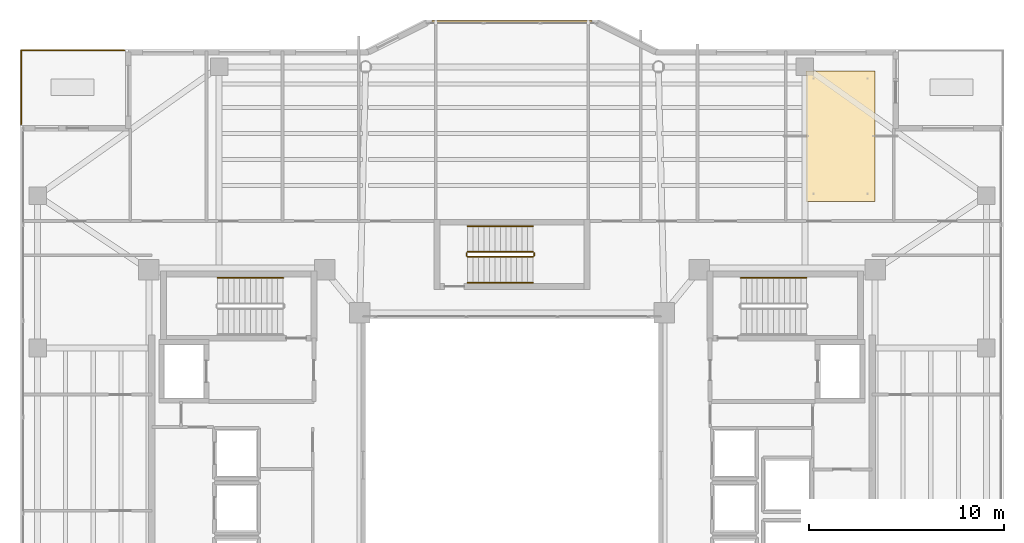
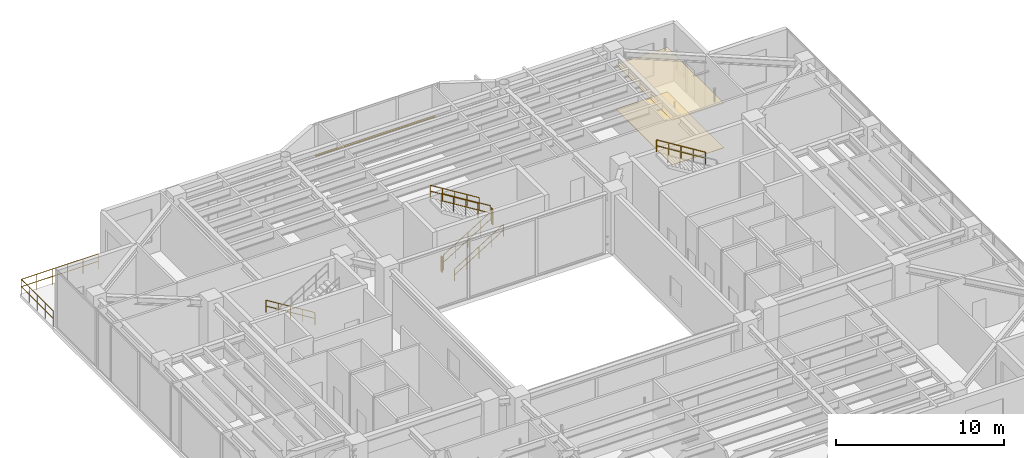
# One storey, part 32 of 33: 10 railings, 2 coverings, 1 shading device.
"""IFC4 building model written with IfcOpenShell, lengths in metres."""

from ifc_helpers import new_model, si_unit, direction, frame, origin, origin_2d, place, context, subcontext, project, spatial, polyline, rectangle, circle, outline, extrude, material, layer, layer_set, material_profile, profile_set, type_object, element, save


model = new_model("IFC4")

# Units and contexts
model_context = context("Model", 3, precision=1e-05, world=origin(), true_north=direction((0.0, 1.0)))
body_context = subcontext(model_context, "Body", "Model", "MODEL_VIEW")
ifc_project = project(units=[si_unit("LENGTHUNIT", "METRE"), si_unit("AREAUNIT", "SQUARE_METRE"), si_unit("VOLUMEUNIT", "CUBIC_METRE"), si_unit("PLANEANGLEUNIT", "RADIAN"), si_unit("MASSUNIT", "GRAM", prefix="KILO")], contexts=[model_context])

# Site, building, storey
site_placement = place(None, origin())
site = spatial("IfcSite", under=ifc_project, at=site_placement, CompositionType="ELEMENT")
building_placement = place(site_placement, origin())
building = spatial("IfcBuilding", under=site, at=building_placement, Name="Tarnavaz Court Tower", CompositionType="ELEMENT")
storey_placement = place(building_placement, frame((0.0, 0.0, 177.300048828125)))
storey = spatial("IfcBuildingStorey", under=building, at=storey_placement, Name="L48", CompositionType="ELEMENT", Elevation=177.300048828125)

# Coverings
ifc_material_1 = material(Name="Perforated Gypsum Acoustic Ceiling Tile", Category="masonry")
ifc_layer_1 = layer(ifc_material_1, 0.02490234375)
ifc_layer_set_1 = layer_set([ifc_layer_1], Name="Perforated Gypsum Acoustic Ceiling Tile")
covering_type_1 = type_object("IfcCoveringType", Name="CV-CEIL-AC", PredefinedType="CEILING", material=ifc_layer_set_1)
covering_1_placement = place(storey_placement, frame((0.0, 0.0, 3.22998046875)))
element("IfcCovering", 1, at=covering_1_placement, inside=storey, type_object=covering_type_1, Name="L48 Community Multipurpose Banquet Hall Suspended Acoustic Ceiling", PredefinedType="CEILING", context=body_context, shape_type="SweptSolid", body=[
    extrude(outline(polyline([(15.052978515625, 13.5), (18.60009765625, 13.5), (18.60009765625, 20.199951171875), (15.052978515625, 20.199951171875), (15.052978515625, 13.5)])), origin(), (0.0, 0.0, 1.0), 0.02490234375),
])
ifc_material_2 = material(Name="Glazed Khorasan Porcelain Floor Tile", Category="masonry")
ifc_layer_2 = layer(ifc_material_2, 0.02001953125)
ifc_layer_set_2 = layer_set([ifc_layer_2], Name="Glazed Khorasan Porcelain Floor Tile")
covering_type_2 = type_object("IfcCoveringType", Name="CV-FLR-PORC", PredefinedType="FLOORING", material=ifc_layer_set_2)
covering_2_placement = place(storey_placement, origin())
element("IfcCovering", 2, at=covering_2_placement, inside=storey, type_object=covering_type_2, Name="L48 Community Multipurpose Banquet Hall Porcelain Floor Finish", PredefinedType="FLOORING", context=body_context, shape_type="SweptSolid", body=[
    extrude(outline(polyline([(15.052978515625, 13.5), (18.60009765625, 13.5), (18.60009765625, 20.199951171875), (15.052978515625, 20.199951171875), (15.052978515625, 13.5)])), origin(), (0.0, 0.0, 1.0), 0.02001953125),
])

# Railings
ifc_material_3 = material(Name="Anodised Aluminium 6063-T6 and Laminated Safety Glass", Category="aluminium")
railing_type_1 = type_object("IfcRailingType", Name="RL-BAL-1120", PredefinedType="BALUSTRADE", material=ifc_material_3)
railing_1_placement = place(storey_placement, frame((-19.860107421875, 21.239990234375, 0.0)))
element("IfcRailing", 3, at=railing_1_placement, inside=storey, type_object=railing_type_1, Name="L48 Terrace 2 N Perimeter Balustrade", PredefinedType="BALUSTRADE", context=body_context, shape_type="SweptSolid", body=[
    extrude(circle(Radius=0.02392578125, at=origin_2d()), frame((0.0, 0.0, 1.09619140625), z_axis=(-1.0, 0.0, 0.0), x_axis=(0.0, -1.0, 0.0)), (0.0, 0.0, 1.0), 5.27978515625),
    extrude(circle(Radius=0.02392578125, at=origin_2d()), frame((0.0, 0.0, 0.56005859375), z_axis=(-1.0, 0.0, 0.0), x_axis=(0.0, -1.0, 0.0)), (0.0, 0.0, 1.0), 5.27978515625),
    extrude(circle(Radius=0.02099609375, at=origin_2d()), origin(), (0.0, 0.0, 1.0), 1.072021484375),
    extrude(circle(Radius=0.02099609375, at=origin_2d()), frame((-1.055908203125, 0.0, 0.0)), (0.0, 0.0, 1.0), 1.072021484375),
    extrude(circle(Radius=0.02099609375, at=origin_2d()), frame((-2.11181640625, 0.0, 0.0)), (0.0, 0.0, 1.0), 1.072021484375),
    extrude(circle(Radius=0.02099609375, at=origin_2d()), frame((-3.16796875, 0.0, 0.0)), (0.0, 0.0, 1.0), 1.072021484375),
    extrude(circle(Radius=0.02099609375, at=origin_2d()), frame((-4.223876953125, 0.0, 0.0)), (0.0, 0.0, 1.0), 1.072021484375),
    extrude(circle(Radius=0.02099609375, at=origin_2d()), frame((-5.27978515625, 0.0, 0.0)), (0.0, 0.0, 1.0), 1.072021484375),
])
railing_2_placement = place(storey_placement, frame((-25.139892578125, 21.239990234375, 0.0)))
element("IfcRailing", 4, at=railing_2_placement, inside=storey, type_object=railing_type_1, Name="L48 Terrace 2 W Perimeter Balustrade", PredefinedType="BALUSTRADE", context=body_context, shape_type="SweptSolid", body=[
    extrude(circle(Radius=0.02392578125, at=origin_2d()), frame((0.0, 0.0, 1.09619140625), z_axis=(0.0, -1.0, 0.0), x_axis=(1.0, 0.0, 0.0)), (0.0, 0.0, 1.0), 3.780029296875),
    extrude(circle(Radius=0.02392578125, at=origin_2d()), frame((0.0, 0.0, 0.56005859375), z_axis=(0.0, -1.0, 0.0), x_axis=(1.0, 0.0, 0.0)), (0.0, 0.0, 1.0), 3.780029296875),
    extrude(circle(Radius=0.02099609375, at=origin_2d()), origin(), (0.0, 0.0, 1.0), 1.072021484375),
    extrude(circle(Radius=0.02099609375, at=origin_2d()), frame((0.0, -0.945068359375, 0.0)), (0.0, 0.0, 1.0), 1.072021484375),
    extrude(circle(Radius=0.02099609375, at=origin_2d()), frame((0.0, -1.89013671875, 0.0)), (0.0, 0.0, 1.0), 1.072021484375),
    extrude(circle(Radius=0.02099609375, at=origin_2d()), frame((0.0, -2.8349609375, 0.0)), (0.0, 0.0, 1.0), 1.072021484375),
    extrude(circle(Radius=0.02099609375, at=origin_2d()), frame((0.0, -3.780029296875, 0.0)), (0.0, 0.0, 1.0), 1.072021484375),
])
ifc_material_4 = material(Name="Brushed Stainless Steel", Category="steel")
railing_type_2 = type_object("IfcRailingType", Name="RL-HANDRAIL-900", PredefinedType="HANDRAIL", material=ifc_material_4)
for number, where, name in (
    (5, (-11.719970703125, 9.590087890625, 0.173095703125), "L48 ST-W1 stair handrail 1"),
    (6, (15.080078125, 9.590087890625, 2.423095703125), "L48 ST-E1 stair handrail 2"),
):
    element("IfcRailing", number, at=place(storey_placement, frame(where)), inside=storey, type_object=railing_type_2, Name=name, PredefinedType="HANDRAIL", context=body_context, shape_type="SweptSolid", body=[
        extrude(circle(Radius=0.02392578125, at=origin_2d()), frame((0.0, 0.0, 0.8759765625), z_axis=(-0.850623216509, 0.0, 0.525775754039), x_axis=(0.0, -1.0, 0.0)), (0.0, 0.0, 1.0), 3.9501953125),
        extrude(circle(Radius=0.02392578125, at=origin_2d()), frame((0.0, 0.0, 0.449951171875), z_axis=(-0.850623216509, 0.0, 0.525775754039), x_axis=(0.0, -1.0, 0.0)), (0.0, 0.0, 1.0), 3.9501953125),
        extrude(circle(Radius=0.02099609375, at=origin_2d()), origin(), (0.0, 0.0, 1.0), 0.851806640625),
        extrude(circle(Radius=0.02099609375, at=origin_2d()), frame((-0.840087890625, 0.0, 0.519287109375)), (0.0, 0.0, 1.0), 0.851806640625),
        extrude(circle(Radius=0.02099609375, at=origin_2d()), frame((-1.68017578125, 0.0, 1.03857421875)), (0.0, 0.0, 1.0), 0.851806640625),
        extrude(circle(Radius=0.02099609375, at=origin_2d()), frame((-2.52001953125, 0.0, 1.5576171875)), (0.0, 0.0, 1.0), 0.851806640625),
        extrude(circle(Radius=0.02099609375, at=origin_2d()), frame((-3.360107421875, 0.0, 2.076904296875)), (0.0, 0.0, 1.0), 0.851806640625),
    ])
railing_3_placement = place(storey_placement, frame((-2.280029296875, 9.35009765625, 0.173095703125)))
element("IfcRailing", 7, at=railing_3_placement, inside=storey, type_object=railing_type_2, Name="L48 ST-N1 stair handrail 1", PredefinedType="HANDRAIL", context=body_context, shape_type="SweptSolid", body=[
    extrude(circle(Radius=0.02392578125, at=origin_2d()), frame((0.0, 0.0, 0.8759765625), z_axis=(0.850623216509, 0.0, 0.525775754039), x_axis=(0.0, 1.0, 0.0)), (0.0, 0.0, 1.0), 3.9501953125),
    extrude(circle(Radius=0.02392578125, at=origin_2d()), frame((0.0, 0.0, 0.449951171875), z_axis=(0.850623216509, 0.0, 0.525775754039), x_axis=(0.0, 1.0, 0.0)), (0.0, 0.0, 1.0), 3.9501953125),
    extrude(circle(Radius=0.02099609375, at=origin_2d()), origin(), (0.0, 0.0, 1.0), 0.851806640625),
    extrude(circle(Radius=0.02099609375, at=origin_2d()), frame((0.840087890625, 0.0, 0.519287109375)), (0.0, 0.0, 1.0), 0.851806640625),
    extrude(circle(Radius=0.02099609375, at=origin_2d()), frame((1.68017578125, 0.0, 1.03857421875)), (0.0, 0.0, 1.0), 0.851806640625),
    extrude(circle(Radius=0.02099609375, at=origin_2d()), frame((2.52001953125, 0.0, 1.5576171875)), (0.0, 0.0, 1.0), 0.851806640625),
    extrude(circle(Radius=0.02099609375, at=origin_2d()), frame((3.360107421875, 0.0, 2.076904296875)), (0.0, 0.0, 1.0), 0.851806640625),
])
railing_4_placement = place(storey_placement, frame((1.080078125, 12.239990234375, 2.423095703125)))
element("IfcRailing", 8, at=railing_4_placement, inside=storey, type_object=railing_type_2, Name="L48 ST-N1 stair handrail 2", PredefinedType="HANDRAIL", context=body_context, shape_type="SweptSolid", body=[
    extrude(circle(Radius=0.02392578125, at=origin_2d()), frame((0.0, 0.0, 0.8759765625), z_axis=(-0.850623216509, 0.0, 0.525775754039), x_axis=(0.0, -1.0, 0.0)), (0.0, 0.0, 1.0), 3.9501953125),
    extrude(circle(Radius=0.02392578125, at=origin_2d()), frame((0.0, 0.0, 0.449951171875), z_axis=(-0.850623216509, 0.0, 0.525775754039), x_axis=(0.0, -1.0, 0.0)), (0.0, 0.0, 1.0), 3.9501953125),
    extrude(circle(Radius=0.02099609375, at=origin_2d()), origin(), (0.0, 0.0, 1.0), 0.851806640625),
    extrude(circle(Radius=0.02099609375, at=origin_2d()), frame((-0.840087890625, 0.0, 0.519287109375)), (0.0, 0.0, 1.0), 0.851806640625),
    extrude(circle(Radius=0.02099609375, at=origin_2d()), frame((-1.68017578125, 0.0, 1.03857421875)), (0.0, 0.0, 1.0), 0.851806640625),
    extrude(circle(Radius=0.02099609375, at=origin_2d()), frame((-2.52001953125, 0.0, 1.5576171875)), (0.0, 0.0, 1.0), 0.851806640625),
    extrude(circle(Radius=0.02099609375, at=origin_2d()), frame((-3.360107421875, 0.0, 2.076904296875)), (0.0, 0.0, 1.0), 0.851806640625),
])
ifc_material_5 = material(Name="Galvanized Painted Tubular Steel", Category="steel")
railing_type_3 = type_object("IfcRailingType", Name="RL-STGUARD-1120", PredefinedType="GUARDRAIL", material=ifc_material_5)
railing_5_placement = place(storey_placement, frame((-2.280029296875, 10.669921875, 0.173095703125)))
element("IfcRailing", 9, at=railing_5_placement, inside=storey, type_object=railing_type_3, Name="L48 ST-N1 stair guard 1", PredefinedType="GUARDRAIL", context=body_context, shape_type="SweptSolid", body=[
    extrude(circle(Radius=0.02392578125, at=origin_2d()), frame((0.0, 0.0, 1.09619140625), z_axis=(0.850623216509, 0.0, 0.525775754039), x_axis=(0.0, 1.0, 0.0)), (0.0, 0.0, 1.0), 3.9501953125),
    extrude(circle(Radius=0.02392578125, at=origin_2d()), frame((0.0, 0.0, 0.56005859375), z_axis=(0.850623216509, 0.0, 0.525775754039), x_axis=(0.0, 1.0, 0.0)), (0.0, 0.0, 1.0), 3.9501953125),
    extrude(circle(Radius=0.02099609375, at=origin_2d()), origin(), (0.0, 0.0, 1.0), 1.072021484375),
    extrude(circle(Radius=0.02099609375, at=origin_2d()), frame((0.840087890625, 0.0, 0.519287109375)), (0.0, 0.0, 1.0), 1.072021484375),
    extrude(circle(Radius=0.02099609375, at=origin_2d()), frame((1.68017578125, 0.0, 1.03857421875)), (0.0, 0.0, 1.0), 1.072021484375),
    extrude(circle(Radius=0.02099609375, at=origin_2d()), frame((2.52001953125, 0.0, 1.5576171875)), (0.0, 0.0, 1.0), 1.072021484375),
    extrude(circle(Radius=0.02099609375, at=origin_2d()), frame((3.360107421875, 0.0, 2.076904296875)), (0.0, 0.0, 1.0), 1.072021484375),
])
railing_6_placement = place(storey_placement, frame((1.1298828125, 10.719970703125, 2.25)))
element("IfcRailing", 10, at=railing_6_placement, inside=storey, type_object=railing_type_3, Name="L48 ST-N1 stair guard 2", PredefinedType="GUARDRAIL", context=body_context, shape_type="SweptSolid", body=[
    extrude(circle(Radius=0.02392578125, at=origin_2d()), frame((0.0, 0.0, 1.09619140625), z_axis=(0.0, 1.0, 0.0), x_axis=(-1.0, 0.0, 0.0)), (0.0, 0.0, 1.0), 0.150146484375),
    extrude(circle(Radius=0.02392578125, at=origin_2d()), frame((0.0, 0.0, 0.56005859375), z_axis=(0.0, 1.0, 0.0), x_axis=(-1.0, 0.0, 0.0)), (0.0, 0.0, 1.0), 0.150146484375),
    extrude(circle(Radius=0.02099609375, at=origin_2d()), origin(), (0.0, 0.0, 1.0), 1.072021484375),
    extrude(circle(Radius=0.02099609375, at=origin_2d()), frame((0.0, 0.150146484375, 0.0)), (0.0, 0.0, 1.0), 1.072021484375),
])
railing_7_placement = place(storey_placement, frame((1.080078125, 10.919921875, 2.423095703125)))
element("IfcRailing", 11, at=railing_7_placement, inside=storey, type_object=railing_type_3, Name="L48 ST-N1 stair guard 3", PredefinedType="GUARDRAIL", context=body_context, shape_type="SweptSolid", body=[
    extrude(circle(Radius=0.02392578125, at=origin_2d()), frame((0.0, 0.0, 1.09619140625), z_axis=(-0.850623216509, 0.0, 0.525775754039), x_axis=(0.0, -1.0, 0.0)), (0.0, 0.0, 1.0), 3.9501953125),
    extrude(circle(Radius=0.02392578125, at=origin_2d()), frame((0.0, 0.0, 0.56005859375), z_axis=(-0.850623216509, 0.0, 0.525775754039), x_axis=(0.0, -1.0, 0.0)), (0.0, 0.0, 1.0), 3.9501953125),
    extrude(circle(Radius=0.02099609375, at=origin_2d()), origin(), (0.0, 0.0, 1.0), 1.072021484375),
    extrude(circle(Radius=0.02099609375, at=origin_2d()), frame((-0.840087890625, 0.0, 0.519287109375)), (0.0, 0.0, 1.0), 1.072021484375),
    extrude(circle(Radius=0.02099609375, at=origin_2d()), frame((-1.68017578125, 0.0, 1.03857421875)), (0.0, 0.0, 1.0), 1.072021484375),
    extrude(circle(Radius=0.02099609375, at=origin_2d()), frame((-2.52001953125, 0.0, 1.5576171875)), (0.0, 0.0, 1.0), 1.072021484375),
    extrude(circle(Radius=0.02099609375, at=origin_2d()), frame((-3.360107421875, 0.0, 2.076904296875)), (0.0, 0.0, 1.0), 1.072021484375),
])
railing_8_placement = place(storey_placement, frame((-2.330078125, 10.719970703125, 0.0)))
element("IfcRailing", 12, at=railing_8_placement, inside=storey, type_object=railing_type_3, Name="L48 ST-N1 stair guard 4", PredefinedType="GUARDRAIL", context=body_context, shape_type="SweptSolid", body=[
    extrude(circle(Radius=0.02392578125, at=origin_2d()), frame((0.0, 0.0, 1.09619140625), z_axis=(0.0, 1.0, 0.0), x_axis=(-1.0, 0.0, 0.0)), (0.0, 0.0, 1.0), 0.150146484375),
    extrude(circle(Radius=0.02392578125, at=origin_2d()), frame((0.0, 0.0, 0.56005859375), z_axis=(0.0, 1.0, 0.0), x_axis=(-1.0, 0.0, 0.0)), (0.0, 0.0, 1.0), 0.150146484375),
    extrude(circle(Radius=0.02099609375, at=origin_2d()), origin(), (0.0, 0.0, 1.0), 1.072021484375),
    extrude(circle(Radius=0.02099609375, at=origin_2d()), frame((0.0, 0.150146484375, 0.0)), (0.0, 0.0, 1.0), 1.072021484375),
])

# Shading device
ifc_material_6 = material(Name="Kiln-Fired Khorasan Terracotta Ceramic", Category="masonry")
ifc_material_profile = material_profile(ifc_material_6, rectangle(XDim=0.1201171875, YDim=0.06005859375, at=origin_2d()), Name="TC BAGUETTE 120X60")
ifc_profile_set = profile_set([ifc_material_profile], Name="Kiln-Fired Khorasan Terracotta Ceramic")
shading_device_type = type_object("IfcShadingDeviceType", Name="SD-BAG-120", PredefinedType="USERDEFINED", material=ifc_profile_set)
shading_device_placement = place(storey_placement, frame((-4.10009765625, 22.7099609375, 1.800048828125), z_axis=(1.0, 0.0, 0.0), x_axis=(0.0, 1.0, 0.0)))
element("IfcShadingDevice", 13, at=shading_device_placement, inside=storey, type_object=shading_device_type, Name="L48 Terracotta Baguette Screen PBG7", ObjectType="BAGUETTE", PredefinedType="USERDEFINED", context=body_context, shape_type="SweptSolid", body=[
    extrude(rectangle(XDim=0.1201171875, YDim=0.06005859375, at=origin_2d()), origin(), (0.0, 0.0, 1.0), 8.2001953125),
])

save(model, "model.ifc")
